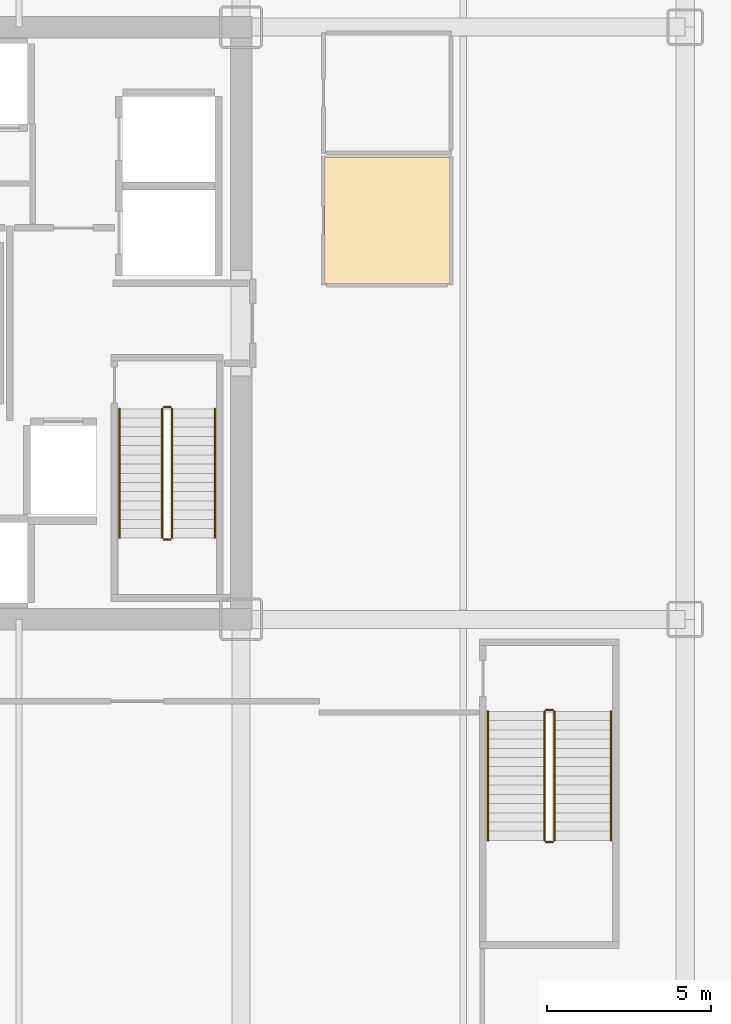
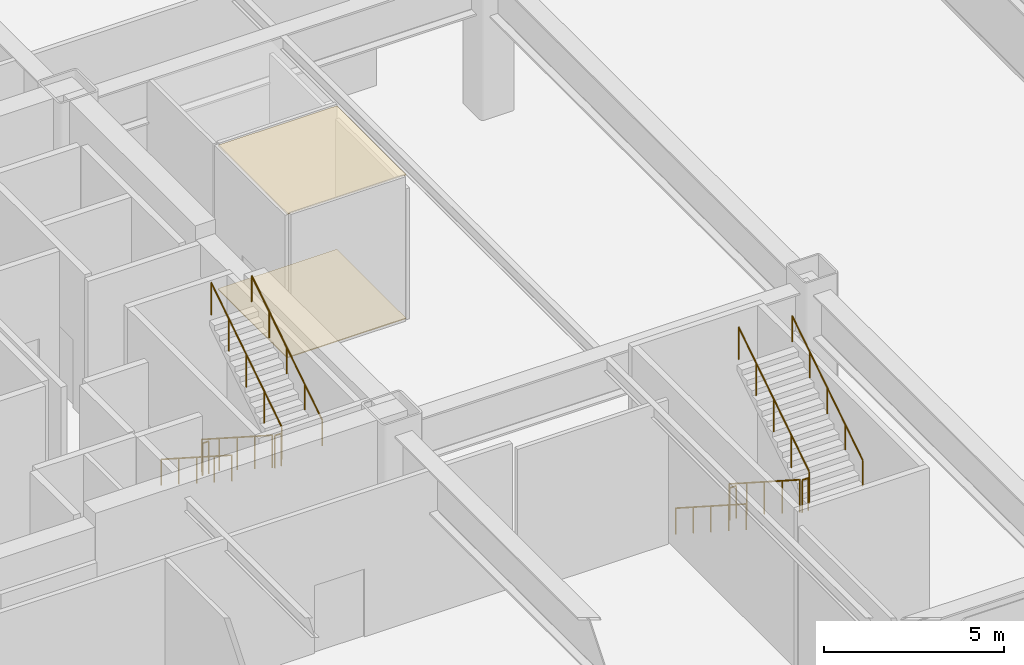
# One storey, part 22 of 24: 12 railings, 2 coverings.
"""IFC4 building model written with IfcOpenShell, lengths in metres."""

from ifc_helpers import new_model, si_unit, direction, frame, origin, origin_2d, place, context, subcontext, project, spatial, polyline, circle, outline, extrude, material, layer, layer_set, type_object, element, save


model = new_model("IFC4")

# Units and contexts
model_context = context("Model", 3, precision=1e-05, world=origin(), true_north=direction((0.0, 1.0)))
body_context = subcontext(model_context, "Body", "Model", "MODEL_VIEW")
ifc_project = project(units=[si_unit("LENGTHUNIT", "METRE"), si_unit("AREAUNIT", "SQUARE_METRE"), si_unit("VOLUMEUNIT", "CUBIC_METRE"), si_unit("PLANEANGLEUNIT", "RADIAN"), si_unit("MASSUNIT", "GRAM", prefix="KILO")], contexts=[model_context])

# Site, building, storey
site_placement = place(None, origin())
site = spatial("IfcSite", under=ifc_project, at=site_placement, CompositionType="ELEMENT")
building_placement = place(site_placement, origin())
building = spatial("IfcBuilding", under=site, at=building_placement, Name="Nefas-Gora Pilgrimage Tower", CompositionType="ELEMENT")
storey_placement = place(building_placement, frame((0.0, 0.0, 22.199951171875)))
storey = spatial("IfcBuildingStorey", under=building, at=storey_placement, Name="L04", CompositionType="ELEMENT", Elevation=22.199951171875)

# Coverings
ifc_material_1 = material(Name="Perforated gypsum acoustic ceiling")
ifc_layer_1 = layer(ifc_material_1, 0.02490234375)
ifc_layer_set_1 = layer_set([ifc_layer_1], Name="Perforated gypsum acoustic ceiling")
covering_type_1 = type_object("IfcCoveringType", Name="COV-CEIL-ACOUST", PredefinedType="CEILING", material=ifc_layer_set_1)
covering_1_placement = place(storey_placement, frame((0.0, 0.0, 4.875)))
element("IfcCovering", 1, at=covering_1_placement, inside=storey, type_object=covering_type_1, Name="L04 Acoustic Suspended Ceiling (L04 Podium Public Washroom WC)", PredefinedType="CEILING", context=body_context, shape_type="SweptSolid", body=[
    extrude(outline(polyline([(13.780029296875, 5.050048828125), (13.780029296875, 1.199951171875), (17.60009765625, 1.199951171875), (17.60009765625, 5.050048828125), (13.780029296875, 5.050048828125)])), origin(), (0.0, 0.0, 1.0), 0.025146484375),
])
ifc_material_2 = material(Name="Honed granite stone flooring", Category="masonry")
ifc_layer_2 = layer(ifc_material_2, 0.030029296875)
ifc_layer_set_2 = layer_set([ifc_layer_2], Name="Honed granite stone flooring")
covering_type_2 = type_object("IfcCoveringType", Name="COV-FLOR-GRAN", PredefinedType="FLOORING", material=ifc_layer_set_2)
covering_2_placement = place(storey_placement, origin())
element("IfcCovering", 2, at=covering_2_placement, inside=storey, type_object=covering_type_2, Name="L04 Honed Granite Flooring (L04 Podium Public Washroom WC)", PredefinedType="FLOORING", context=body_context, shape_type="SweptSolid", body=[
    extrude(outline(polyline([(13.780029296875, 5.050048828125), (13.780029296875, 1.199951171875), (17.60009765625, 1.199951171875), (17.60009765625, 5.050048828125), (13.780029296875, 5.050048828125)])), origin(), (0.0, 0.0, 1.0), 0.030029296875),
])

# Railings
ifc_material_3 = material(Name="Painted galvanised steel", Category="steel")
railing_type_1 = type_object("IfcRailingType", Name="RLG-STR-GUARD-1100", PredefinedType="GUARDRAIL", material=ifc_material_3)
railing_1_placement = place(storey_placement, frame((8.85009765625, -2.60009765625, 0.179931640625)))
element("IfcRailing", 3, at=railing_1_placement, inside=storey, type_object=railing_type_1, Name="L04 ST-02 stair guard 1", PredefinedType="GUARDRAIL", context=body_context, shape_type="SweptSolid", body=[
    extrude(circle(Radius=0.02392578125, at=origin_2d()), frame((0.0, 0.0, 1.09619140625), z_axis=(0.0, -0.841171666519, 0.540768182723), x_axis=(1.0, 0.0, 0.0)), (0.0, 0.0, 1.0), 4.66015625),
    extrude(circle(Radius=0.02099609375, at=origin_2d()), origin(), (0.0, 0.0, 1.0), 1.072021484375),
    extrude(circle(Radius=0.02099609375, at=origin_2d()), frame((0.0, -0.97998046875, 0.6298828125)), (0.0, 0.0, 1.0), 1.072021484375),
    extrude(circle(Radius=0.02099609375, at=origin_2d()), frame((0.0, -1.9599609375, 1.260009765625)), (0.0, 0.0, 1.0), 1.072021484375),
    extrude(circle(Radius=0.02099609375, at=origin_2d()), frame((0.0, -2.93994140625, 1.89013671875)), (0.0, 0.0, 1.0), 1.072021484375),
    extrude(circle(Radius=0.02099609375, at=origin_2d()), frame((0.0, -3.919921875, 2.52001953125)), (0.0, 0.0, 1.0), 1.072021484375),
])
railing_2_placement = place(storey_placement, frame((8.89990234375, -6.570068359375, 2.699951171875)))
element("IfcRailing", 4, at=railing_2_placement, inside=storey, type_object=railing_type_1, Name="L04 ST-02 stair guard 2", PredefinedType="GUARDRAIL", context=body_context, shape_type="SweptSolid", body=[
    extrude(circle(Radius=0.02392578125, at=origin_2d()), frame((0.0, 0.0, 1.09619140625), z_axis=(1.0, 0.0, 0.0), x_axis=(0.0, 1.0, 0.0)), (0.0, 0.0, 1.0), 0.2001953125),
    extrude(circle(Radius=0.02099609375, at=origin_2d()), origin(), (0.0, 0.0, 1.0), 1.072021484375),
    extrude(circle(Radius=0.02099609375, at=origin_2d()), frame((0.2001953125, 0.0, 0.0)), (0.0, 0.0, 1.0), 1.072021484375),
])
railing_3_placement = place(storey_placement, frame((9.14990234375, -6.52001953125, 2.880126953125)))
element("IfcRailing", 5, at=railing_3_placement, inside=storey, type_object=railing_type_1, Name="L04 ST-02 stair guard 3", PredefinedType="GUARDRAIL", context=body_context, shape_type="SweptSolid", body=[
    extrude(circle(Radius=0.02392578125, at=origin_2d()), frame((0.0, 0.0, 1.09619140625), z_axis=(0.0, 0.841171666519, 0.540768182723), x_axis=(-1.0, 0.0, 0.0)), (0.0, 0.0, 1.0), 4.66015625),
    extrude(circle(Radius=0.02099609375, at=origin_2d()), origin(), (0.0, 0.0, 1.0), 1.072021484375),
    extrude(circle(Radius=0.02099609375, at=origin_2d()), frame((0.0, 0.97998046875, 0.6298828125)), (0.0, 0.0, 1.0), 1.072021484375),
    extrude(circle(Radius=0.02099609375, at=origin_2d()), frame((0.0, 1.9599609375, 1.260009765625)), (0.0, 0.0, 1.0), 1.072021484375),
    extrude(circle(Radius=0.02099609375, at=origin_2d()), frame((0.0, 2.93994140625, 1.89013671875)), (0.0, 0.0, 1.0), 1.072021484375),
    extrude(circle(Radius=0.02099609375, at=origin_2d()), frame((0.0, 3.919921875, 2.52001953125)), (0.0, 0.0, 1.0), 1.072021484375),
])
railing_4_placement = place(storey_placement, frame((8.89990234375, -2.550048828125, 0.0)))
element("IfcRailing", 6, at=railing_4_placement, inside=storey, type_object=railing_type_1, Name="L04 ST-02 stair guard 4", PredefinedType="GUARDRAIL", context=body_context, shape_type="SweptSolid", body=[
    extrude(circle(Radius=0.02392578125, at=origin_2d()), frame((0.0, 0.0, 1.09619140625), z_axis=(1.0, 0.0, 0.0), x_axis=(0.0, 1.0, 0.0)), (0.0, 0.0, 1.0), 0.2001953125),
    extrude(circle(Radius=0.02099609375, at=origin_2d()), origin(), (0.0, 0.0, 1.0), 1.072021484375),
    extrude(circle(Radius=0.02099609375, at=origin_2d()), frame((0.2001953125, 0.0, 0.0)), (0.0, 0.0, 1.0), 1.072021484375),
])
railing_5_placement = place(storey_placement, frame((20.469970703125, -11.800048828125, 0.179931640625)))
element("IfcRailing", 7, at=railing_5_placement, inside=storey, type_object=railing_type_1, Name="L04 ST-06 stair guard 1", PredefinedType="GUARDRAIL", context=body_context, shape_type="SweptSolid", body=[
    extrude(circle(Radius=0.02392578125, at=origin_2d()), frame((0.0, 0.0, 1.09619140625), z_axis=(0.0, -0.841171666519, 0.540768182723), x_axis=(1.0, 0.0, 0.0)), (0.0, 0.0, 1.0), 4.66015625),
    extrude(circle(Radius=0.02099609375, at=origin_2d()), origin(), (0.0, 0.0, 1.0), 1.072021484375),
    extrude(circle(Radius=0.02099609375, at=origin_2d()), frame((0.0, -0.97998046875, 0.6298828125)), (0.0, 0.0, 1.0), 1.072021484375),
    extrude(circle(Radius=0.02099609375, at=origin_2d()), frame((0.0, -1.9599609375, 1.260009765625)), (0.0, 0.0, 1.0), 1.072021484375),
    extrude(circle(Radius=0.02099609375, at=origin_2d()), frame((0.0, -2.93994140625, 1.89013671875)), (0.0, 0.0, 1.0), 1.072021484375),
    extrude(circle(Radius=0.02099609375, at=origin_2d()), frame((0.0, -3.919921875, 2.52001953125)), (0.0, 0.0, 1.0), 1.072021484375),
])
railing_6_placement = place(storey_placement, frame((20.52001953125, -15.77001953125, 2.699951171875)))
element("IfcRailing", 8, at=railing_6_placement, inside=storey, type_object=railing_type_1, Name="L04 ST-06 stair guard 2", PredefinedType="GUARDRAIL", context=body_context, shape_type="SweptSolid", body=[
    extrude(circle(Radius=0.02392578125, at=origin_2d()), frame((0.0, 0.0, 1.09619140625), z_axis=(1.0, 0.0, 0.0), x_axis=(0.0, 1.0, 0.0)), (0.0, 0.0, 1.0), 0.199951171875),
    extrude(circle(Radius=0.02099609375, at=origin_2d()), origin(), (0.0, 0.0, 1.0), 1.072021484375),
    extrude(circle(Radius=0.02099609375, at=origin_2d()), frame((0.199951171875, 0.0, 0.0)), (0.0, 0.0, 1.0), 1.072021484375),
])
railing_7_placement = place(storey_placement, frame((20.77001953125, -15.719970703125, 2.880126953125)))
element("IfcRailing", 9, at=railing_7_placement, inside=storey, type_object=railing_type_1, Name="L04 ST-06 stair guard 3", PredefinedType="GUARDRAIL", context=body_context, shape_type="SweptSolid", body=[
    extrude(circle(Radius=0.02392578125, at=origin_2d()), frame((0.0, 0.0, 1.09619140625), z_axis=(0.0, 0.841171666519, 0.540768182723), x_axis=(-1.0, 0.0, 0.0)), (0.0, 0.0, 1.0), 4.66015625),
    extrude(circle(Radius=0.02099609375, at=origin_2d()), origin(), (0.0, 0.0, 1.0), 1.072021484375),
    extrude(circle(Radius=0.02099609375, at=origin_2d()), frame((0.0, 0.97998046875, 0.6298828125)), (0.0, 0.0, 1.0), 1.072021484375),
    extrude(circle(Radius=0.02099609375, at=origin_2d()), frame((0.0, 1.9599609375, 1.260009765625)), (0.0, 0.0, 1.0), 1.072021484375),
    extrude(circle(Radius=0.02099609375, at=origin_2d()), frame((0.0, 2.93994140625, 1.89013671875)), (0.0, 0.0, 1.0), 1.072021484375),
    extrude(circle(Radius=0.02099609375, at=origin_2d()), frame((0.0, 3.919921875, 2.52001953125)), (0.0, 0.0, 1.0), 1.072021484375),
])
railing_8_placement = place(storey_placement, frame((20.52001953125, -11.75, 0.0)))
element("IfcRailing", 10, at=railing_8_placement, inside=storey, type_object=railing_type_1, Name="L04 ST-06 stair guard 4", PredefinedType="GUARDRAIL", context=body_context, shape_type="SweptSolid", body=[
    extrude(circle(Radius=0.02392578125, at=origin_2d()), frame((0.0, 0.0, 1.09619140625), z_axis=(1.0, 0.0, 0.0), x_axis=(0.0, 1.0, 0.0)), (0.0, 0.0, 1.0), 0.199951171875),
    extrude(circle(Radius=0.02099609375, at=origin_2d()), origin(), (0.0, 0.0, 1.0), 1.072021484375),
    extrude(circle(Radius=0.02099609375, at=origin_2d()), frame((0.199951171875, 0.0, 0.0)), (0.0, 0.0, 1.0), 1.072021484375),
])
ifc_material_4 = material(Name="Brushed stainless steel", Category="steel")
railing_type_2 = type_object("IfcRailingType", Name="RLG-STR-HAND-900", PredefinedType="HANDRAIL", material=ifc_material_4)
railing_9_placement = place(storey_placement, frame((7.550048828125, -2.60009765625, 0.179931640625)))
element("IfcRailing", 11, at=railing_9_placement, inside=storey, type_object=railing_type_2, Name="L04 ST-02 stair handrail 1", PredefinedType="HANDRAIL", context=body_context, shape_type="SweptSolid", body=[
    extrude(circle(Radius=0.02392578125, at=origin_2d()), frame((0.0, 0.0, 0.8759765625), z_axis=(0.0, -0.841171666519, 0.540768182723), x_axis=(1.0, 0.0, 0.0)), (0.0, 0.0, 1.0), 4.66015625),
    extrude(circle(Radius=0.02099609375, at=origin_2d()), origin(), (0.0, 0.0, 1.0), 0.851806640625),
    extrude(circle(Radius=0.02099609375, at=origin_2d()), frame((0.0, -0.97998046875, 0.6298828125)), (0.0, 0.0, 1.0), 0.851806640625),
    extrude(circle(Radius=0.02099609375, at=origin_2d()), frame((0.0, -1.9599609375, 1.260009765625)), (0.0, 0.0, 1.0), 0.851806640625),
    extrude(circle(Radius=0.02099609375, at=origin_2d()), frame((0.0, -2.93994140625, 1.89013671875)), (0.0, 0.0, 1.0), 0.851806640625),
    extrude(circle(Radius=0.02099609375, at=origin_2d()), frame((0.0, -3.919921875, 2.52001953125)), (0.0, 0.0, 1.0), 0.851806640625),
])
railing_10_placement = place(storey_placement, frame((10.449951171875, -6.52001953125, 2.880126953125)))
element("IfcRailing", 12, at=railing_10_placement, inside=storey, type_object=railing_type_2, Name="L04 ST-02 stair handrail 2", PredefinedType="HANDRAIL", context=body_context, shape_type="SweptSolid", body=[
    extrude(circle(Radius=0.02392578125, at=origin_2d()), frame((0.0, 0.0, 0.8759765625), z_axis=(0.0, 0.841171666519, 0.540768182723), x_axis=(-1.0, 0.0, 0.0)), (0.0, 0.0, 1.0), 4.66015625),
    extrude(circle(Radius=0.02099609375, at=origin_2d()), origin(), (0.0, 0.0, 1.0), 0.851806640625),
    extrude(circle(Radius=0.02099609375, at=origin_2d()), frame((0.0, 0.97998046875, 0.6298828125)), (0.0, 0.0, 1.0), 0.851806640625),
    extrude(circle(Radius=0.02099609375, at=origin_2d()), frame((0.0, 1.9599609375, 1.260009765625)), (0.0, 0.0, 1.0), 0.851806640625),
    extrude(circle(Radius=0.02099609375, at=origin_2d()), frame((0.0, 2.93994140625, 1.89013671875)), (0.0, 0.0, 1.0), 0.851806640625),
    extrude(circle(Radius=0.02099609375, at=origin_2d()), frame((0.0, 3.919921875, 2.52001953125)), (0.0, 0.0, 1.0), 0.851806640625),
])
railing_11_placement = place(storey_placement, frame((18.75, -11.800048828125, 0.179931640625)))
element("IfcRailing", 13, at=railing_11_placement, inside=storey, type_object=railing_type_2, Name="L04 ST-06 stair handrail 1", PredefinedType="HANDRAIL", context=body_context, shape_type="SweptSolid", body=[
    extrude(circle(Radius=0.02392578125, at=origin_2d()), frame((0.0, 0.0, 0.8759765625), z_axis=(0.0, -0.841171666519, 0.540768182723), x_axis=(1.0, 0.0, 0.0)), (0.0, 0.0, 1.0), 4.66015625),
    extrude(circle(Radius=0.02099609375, at=origin_2d()), origin(), (0.0, 0.0, 1.0), 0.851806640625),
    extrude(circle(Radius=0.02099609375, at=origin_2d()), frame((0.0, -0.97998046875, 0.6298828125)), (0.0, 0.0, 1.0), 0.851806640625),
    extrude(circle(Radius=0.02099609375, at=origin_2d()), frame((0.0, -1.9599609375, 1.260009765625)), (0.0, 0.0, 1.0), 0.851806640625),
    extrude(circle(Radius=0.02099609375, at=origin_2d()), frame((0.0, -2.93994140625, 1.89013671875)), (0.0, 0.0, 1.0), 0.851806640625),
    extrude(circle(Radius=0.02099609375, at=origin_2d()), frame((0.0, -3.919921875, 2.52001953125)), (0.0, 0.0, 1.0), 0.851806640625),
])
railing_12_placement = place(storey_placement, frame((22.489990234375, -15.719970703125, 2.880126953125)))
element("IfcRailing", 14, at=railing_12_placement, inside=storey, type_object=railing_type_2, Name="L04 ST-06 stair handrail 2", PredefinedType="HANDRAIL", context=body_context, shape_type="SweptSolid", body=[
    extrude(circle(Radius=0.02392578125, at=origin_2d()), frame((0.0, 0.0, 0.8759765625), z_axis=(0.0, 0.841171666519, 0.540768182723), x_axis=(-1.0, 0.0, 0.0)), (0.0, 0.0, 1.0), 4.66015625),
    extrude(circle(Radius=0.02099609375, at=origin_2d()), origin(), (0.0, 0.0, 1.0), 0.851806640625),
    extrude(circle(Radius=0.02099609375, at=origin_2d()), frame((0.0, 0.97998046875, 0.6298828125)), (0.0, 0.0, 1.0), 0.851806640625),
    extrude(circle(Radius=0.02099609375, at=origin_2d()), frame((0.0, 1.9599609375, 1.260009765625)), (0.0, 0.0, 1.0), 0.851806640625),
    extrude(circle(Radius=0.02099609375, at=origin_2d()), frame((0.0, 2.93994140625, 1.89013671875)), (0.0, 0.0, 1.0), 0.851806640625),
    extrude(circle(Radius=0.02099609375, at=origin_2d()), frame((0.0, 3.919921875, 2.52001953125)), (0.0, 0.0, 1.0), 0.851806640625),
])

save(model, "model.ifc")
